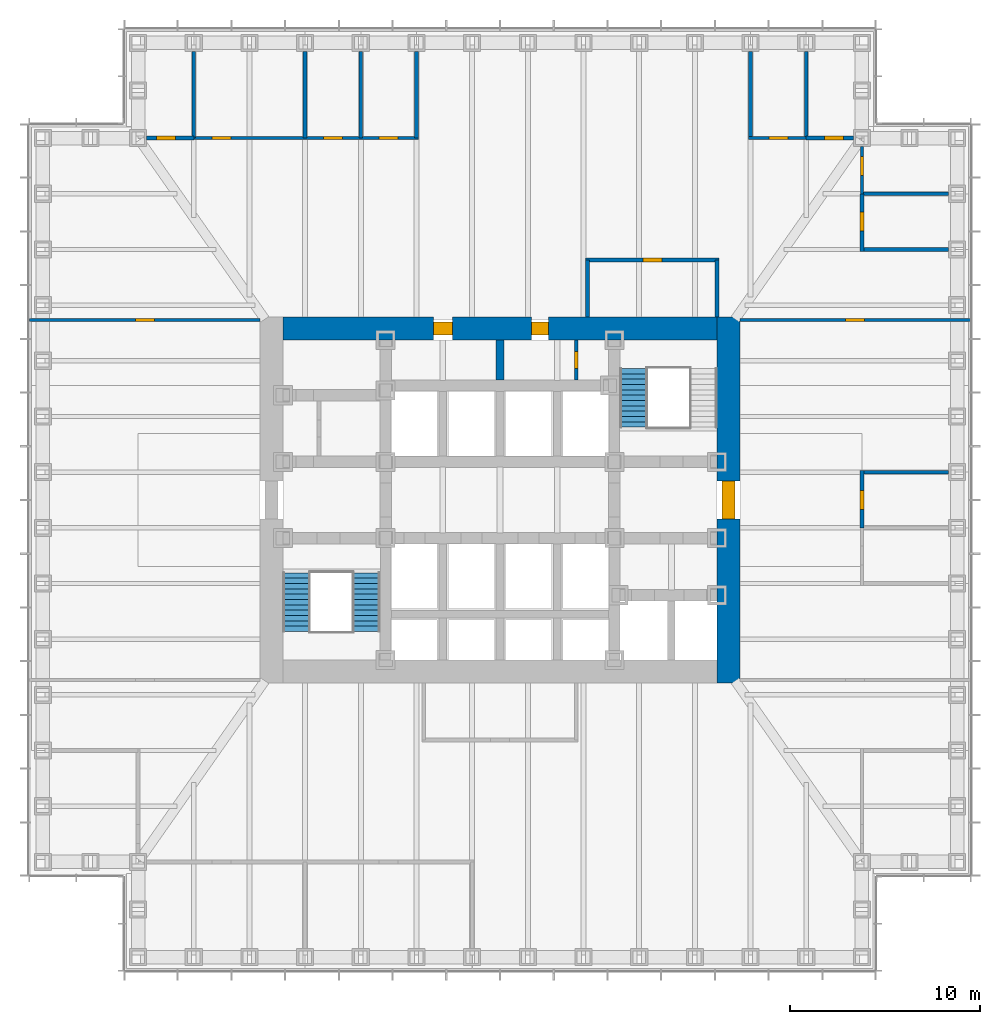
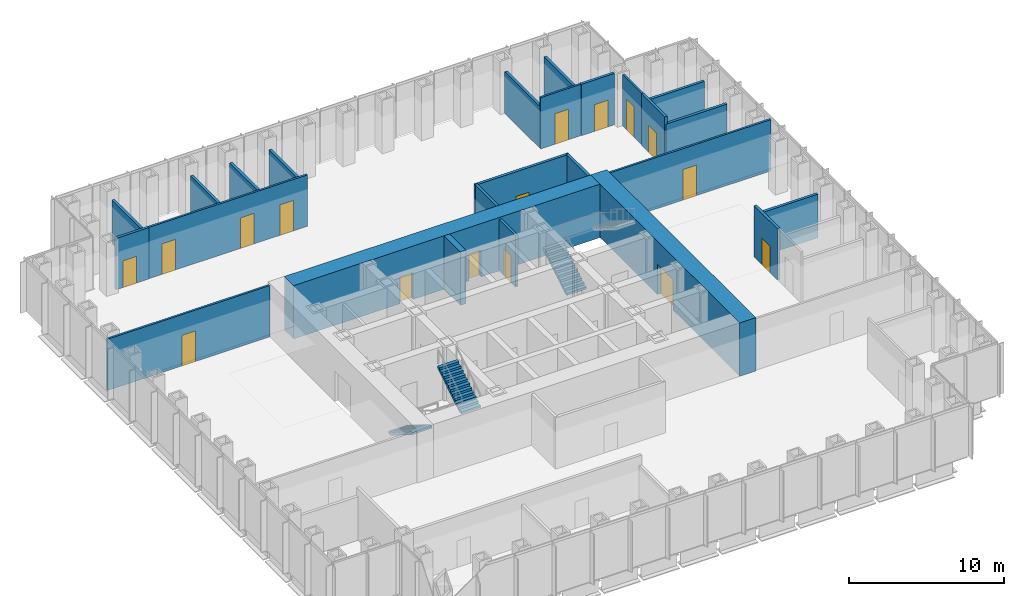
# One storey, part 10 of 17: 25 walls, 16 doors, 3 stair flights, 16 openings, 2 elements without a shape of their own.
"""IFC4 building model written with IfcOpenShell, lengths in metres."""

from ifc_helpers import new_model, si_unit, direction, frame, frame_2d, origin, place, context, subcontext, project, spatial, polyline, rectangle, outline, extrude, material, layer, layer_set, type_object, element, fill, aggregate, save


model = new_model("IFC4")

# Units and contexts
model_context = context("Model", 3, precision=1e-05, world=origin(), true_north=direction((0.0, 1.0)))
body_context = subcontext(model_context, "Body", "Model", "MODEL_VIEW")
ifc_project = project(units=[si_unit("LENGTHUNIT", "METRE"), si_unit("AREAUNIT", "SQUARE_METRE"), si_unit("VOLUMEUNIT", "CUBIC_METRE"), si_unit("PLANEANGLEUNIT", "RADIAN"), si_unit("MASSUNIT", "GRAM", prefix="KILO")], contexts=[model_context])

# Site, building, storey
site_placement = place(None, origin())
site = spatial("IfcSite", under=ifc_project, at=site_placement, CompositionType="ELEMENT")
building_placement = place(site_placement, origin())
building = spatial("IfcBuilding", under=site, at=building_placement, Name="Daluyong Arena Tower", CompositionType="ELEMENT")
storey_placement = place(building_placement, frame((0.0, 0.0, 60.10009765625)))
storey = spatial("IfcBuildingStorey", under=building, at=storey_placement, Name="L12", CompositionType="ELEMENT", Elevation=60.10009765625)

# Wall, opening, door
ifc_material_1 = material(Name="Concrete fc' 60 MPa", Category="concrete")
ifc_layer_1 = layer(ifc_material_1, 1.199951171875)
ifc_layer_set_1 = layer_set([ifc_layer_1], Name="Concrete fc' 60 MPa")
wall_type_1 = type_object("IfcWallType", Name="Core wall 1200", PredefinedType="SHEAR", material=ifc_layer_set_1)
wall_1_placement = place(storey_placement, frame((68.0, 70.39990234375, 0.0), z_axis=(0.0, 0.0, 1.0), x_axis=(0.0, 1.0, 0.0)))
wall_1 = element("IfcWall", 1, at=wall_1_placement, inside=storey, type_object=wall_type_1, Name="core wall at L12", PredefinedType="SHEAR", context=body_context, shape_type="SweptSolid", body=[
    extrude(rectangle(XDim=19.2001953125, YDim=1.199951171875, at=frame_2d((9.60009765625, 0.0))), origin(), (0.0, 0.0, 1.0), 4.199951171875),
])
opening_1_placement = place(wall_1_placement, frame((8.60009765625, 0.0, 0.0)))
opening_1 = element("IfcOpeningElement", 2, at=opening_1_placement, cuts=wall_1, Name="Opening 12010", PredefinedType="OPENING", context=body_context, shape_type="SweptSolid", body=[
    extrude(rectangle(XDim=2.0, YDim=2.39990234375, at=frame_2d((1.0, 1.199951171875))), frame((0.0, 0.60986328125, 0.0), z_axis=(0.0, -1.0, 0.0), x_axis=(1.0, 0.0, 0.0)), (0.0, 0.0, 1.0), 1.219970703125),
])
ifc_material_2 = material(Name="Steel door, fire rated", Category="steel")
door_type_1 = type_object("IfcDoorType", Name="Core lobby double door 2000", OperationType="DOUBLE_DOOR_SINGLE_SWING", PredefinedType="DOOR", material=ifc_material_2)
door_1_placement = place(opening_1_placement, origin())
door_1 = element("IfcDoor", 3, at=door_1_placement, inside=storey, type_object=door_type_1, Name="core lobby door east 12010", OperationType="DOUBLE_DOOR_SINGLE_SWING", OverallHeight=2.39990234375, OverallWidth=2.0, PredefinedType="DOOR", context=body_context, shape_type="SweptSolid", body=[
    extrude(rectangle(XDim=2.0, YDim=2.39990234375, at=frame_2d((1.0, 1.199951171875))), frame((0.0, 0.35009765625, 0.0), z_axis=(0.0, -1.0, 0.0), x_axis=(1.0, 0.0, 0.0)), (0.0, 0.0, 1.0), 0.699951171875),
])
fill(opening_1, door_1)

# Wall, openings, doors
wall_2_placement = place(storey_placement, frame((44.60009765625, 89.0, 0.0), z_axis=(0.0, 0.0, 1.0), x_axis=(1.0, 0.0, 0.0)))
wall_2 = element("IfcWall", 4, at=wall_2_placement, inside=storey, type_object=wall_type_1, Name="core wall at L12", PredefinedType="SHEAR", context=body_context, shape_type="SweptSolid", body=[
    extrude(rectangle(XDim=22.7998046875, YDim=1.199951171875, at=frame_2d((11.39990234375, 0.0))), origin(), (0.0, 0.0, 1.0), 4.199951171875),
])
opening_2_placement = place(wall_2_placement, frame((7.89990234375, 0.0, 0.0)))
opening_2 = element("IfcOpeningElement", 5, at=opening_2_placement, cuts=wall_2, Name="Opening 12004", PredefinedType="OPENING", context=body_context, shape_type="SweptSolid", body=[
    extrude(rectangle(XDim=1.0, YDim=2.10009765625, at=frame_2d((0.5, 1.050048828125))), frame((0.0, 0.60986328125, 0.0), z_axis=(0.0, -1.0, 0.0), x_axis=(1.0, 0.0, 0.0)), (0.0, 0.0, 1.0), 1.219970703125),
])
opening_3_placement = place(wall_2_placement, frame((13.050048828125, 0.0, 0.0)))
opening_3 = element("IfcOpeningElement", 6, at=opening_3_placement, cuts=wall_2, Name="Opening 12005", PredefinedType="OPENING", context=body_context, shape_type="SweptSolid", body=[
    extrude(rectangle(XDim=0.89990234375, YDim=2.10009765625, at=frame_2d((0.449951171875, 1.050048828125))), frame((0.0, 0.60986328125, 0.0), z_axis=(0.0, -1.0, 0.0), x_axis=(1.0, 0.0, 0.0)), (0.0, 0.0, 1.0), 1.219970703125),
])
ifc_material_3 = material(Name="Timber door", Category="wood")
door_type_2 = type_object("IfcDoorType", Name="Accessible toilet door 1000", OperationType="SINGLE_SWING_LEFT", PredefinedType="DOOR", material=ifc_material_3)
door_2_placement = place(opening_2_placement, origin())
door_2 = element("IfcDoor", 7, at=door_2_placement, inside=storey, type_object=door_type_2, Name="accessible toilet door 12004", OperationType="SINGLE_SWING_LEFT", OverallHeight=2.10009765625, OverallWidth=1.0, PredefinedType="DOOR", context=body_context, shape_type="SweptSolid", body=[
    extrude(rectangle(XDim=1.0, YDim=2.10009765625, at=frame_2d((0.5, 1.050048828125))), frame((0.0, 0.35009765625, 0.0), z_axis=(0.0, -1.0, 0.0), x_axis=(1.0, 0.0, 0.0)), (0.0, 0.0, 1.0), 0.699951171875),
])
fill(opening_2, door_2)
ifc_material_4 = material(Name="Steel door, fire rated", Category="steel")
door_type_3 = type_object("IfcDoorType", Name="Core store door 900", OperationType="SINGLE_SWING_LEFT", PredefinedType="DOOR", material=ifc_material_4)
door_3_placement = place(opening_3_placement, origin())
door_3 = element("IfcDoor", 8, at=door_3_placement, inside=storey, type_object=door_type_3, Name="tenant store door 12005", OperationType="SINGLE_SWING_LEFT", OverallHeight=2.10009765625, OverallWidth=0.89990234375, PredefinedType="DOOR", context=body_context, shape_type="SweptSolid", body=[
    extrude(rectangle(XDim=0.89990234375, YDim=2.10009765625, at=frame_2d((0.449951171875, 1.050048828125))), frame((0.0, 0.35009765625, 0.0), z_axis=(0.0, -1.0, 0.0), x_axis=(1.0, 0.0, 0.0)), (0.0, 0.0, 1.0), 0.699951171875),
])
fill(opening_3, door_3)

# Wall, opening, door
ifc_material_5 = material(Name="Concrete block partition, fire rated", Category="concrete")
ifc_layer_2 = layer(ifc_material_5, 0.199951171875)
ifc_layer_set_2 = layer_set([ifc_layer_2], Name="Concrete block partition, fire rated")
wall_type_2 = type_object("IfcWallType", Name="Fire-rated partition 200", PredefinedType="PARTITIONING", material=ifc_layer_set_2)
wall_3_placement = place(storey_placement, frame((60.0, 86.300048828125, 0.0), z_axis=(0.0, 0.0, 1.0), x_axis=(0.0, 1.0, 0.0)))
wall_3 = element("IfcWall", 9, at=wall_3_placement, inside=storey, type_object=wall_type_2, Name="electrical riser enclosure at L12", PredefinedType="PARTITIONING", context=body_context, shape_type="SweptSolid", body=[
    extrude(rectangle(XDim=2.099853515625, YDim=0.199951171875, at=frame_2d((1.0498046875, 0.0))), origin(), (0.0, 0.0, 1.0), 4.039794921875),
])
opening_4_placement = place(wall_3_placement, frame((0.60009765625, 0.0, 0.0)))
opening_4 = element("IfcOpeningElement", 10, at=opening_4_placement, cuts=wall_3, Name="Opening 12006", PredefinedType="OPENING", context=body_context, shape_type="SweptSolid", body=[
    extrude(rectangle(XDim=0.89990234375, YDim=2.10009765625, at=frame_2d((0.449951171875, 1.050048828125))), frame((0.0, 0.10986328125, 0.0), z_axis=(0.0, -1.0, 0.0), x_axis=(1.0, 0.0, 0.0)), (0.0, 0.0, 1.0), 0.219970703125),
])
ifc_material_6 = material(Name="Steel door, fire rated", Category="steel")
door_type_4 = type_object("IfcDoorType", Name="Riser door 900", OperationType="SINGLE_SWING_LEFT", PredefinedType="DOOR", material=ifc_material_6)
door_4_placement = place(opening_4_placement, origin())
door_4 = element("IfcDoor", 11, at=door_4_placement, inside=storey, type_object=door_type_4, Name="riser door 12006", OperationType="SINGLE_SWING_LEFT", OverallHeight=2.10009765625, OverallWidth=0.89990234375, PredefinedType="DOOR", context=body_context, shape_type="SweptSolid", body=[
    extrude(rectangle(XDim=0.89990234375, YDim=2.10009765625, at=frame_2d((0.449951171875, 1.050048828125))), frame((0.0, 0.099609375, 0.0), z_axis=(0.0, -1.0, 0.0), x_axis=(1.0, 0.0, 0.0)), (0.0, 0.0, 1.0), 0.199462890625),
])
fill(opening_4, door_4)

ifc_material_7 = material(Name="Glazed aluminium partition", Category="aluminium")
ifc_layer_3 = layer(ifc_material_7, 0.14990234375)
ifc_layer_set_3 = layer_set([ifc_layer_3], Name="Glazed aluminium partition")
wall_type_3 = type_object("IfcWallType", Name="Glazed partition 150", PredefinedType="PARTITIONING", material=ifc_layer_set_3)
wall_4_placement = place(storey_placement, frame((31.31005859375, 89.449951171875, 0.0), z_axis=(0.0, 0.0, 1.0), x_axis=(1.0, 0.0, 0.0)))
wall_4 = element("IfcWall", 12, at=wall_4_placement, inside=storey, type_object=wall_type_3, Name="glazed partition at L12", PredefinedType="PARTITIONING", context=body_context, shape_type="SweptSolid", body=[
    extrude(rectangle(XDim=12.08984375, YDim=0.14990234375, at=frame_2d((6.044921875, 0.0))), origin(), (0.0, 0.0, 1.0), 4.039794921875),
])
opening_5_placement = place(wall_4_placement, frame((5.544921875, 0.0, 0.0)))
opening_5 = element("IfcOpeningElement", 13, at=opening_5_placement, cuts=wall_4, Name="Opening 12037", PredefinedType="OPENING", context=body_context, shape_type="SweptSolid", body=[
    extrude(rectangle(XDim=1.0, YDim=2.39990234375, at=frame_2d((0.5, 1.199951171875))), frame((0.0, 0.0849609375, 0.0), z_axis=(0.0, -1.0, 0.0), x_axis=(1.0, 0.0, 0.0)), (0.0, 0.0, 1.0), 0.169921875),
])
ifc_material_8 = material(Name="Glazed aluminium door", Category="aluminium")
door_type_5 = type_object("IfcDoorType", Name="Meeting room glazed door 1000", OperationType="SINGLE_SWING_RIGHT", PredefinedType="DOOR", material=ifc_material_8)
door_5_placement = place(opening_5_placement, origin())
door_5 = element("IfcDoor", 14, at=door_5_placement, inside=storey, type_object=door_type_5, Name="team area screen door 12037", OperationType="SINGLE_SWING_RIGHT", OverallHeight=2.39990234375, OverallWidth=1.0, PredefinedType="DOOR", context=body_context, shape_type="SweptSolid", body=[
    extrude(rectangle(XDim=1.0, YDim=2.39990234375, at=frame_2d((0.5, 1.199951171875))), frame((0.0, 0.07470703125, 0.0), z_axis=(0.0, -1.0, 0.0), x_axis=(1.0, 0.0, 0.0)), (0.0, 0.0, 1.0), 0.1494140625),
])
fill(opening_5, door_5)

wall_5_placement = place(storey_placement, frame((68.60009765625, 89.449951171875, 0.0), z_axis=(0.0, 0.0, 1.0), x_axis=(1.0, 0.0, 0.0)))
wall_5 = element("IfcWall", 15, at=wall_5_placement, inside=storey, type_object=wall_type_3, Name="glazed partition at L12", PredefinedType="PARTITIONING", context=body_context, shape_type="SweptSolid", body=[
    extrude(rectangle(XDim=12.08984375, YDim=0.14990234375, at=frame_2d((6.044921875, 0.0))), origin(), (0.0, 0.0, 1.0), 4.039794921875),
])
opening_6_placement = place(wall_5_placement, frame((5.544921875, 0.0, 0.0)))
opening_6 = element("IfcOpeningElement", 16, at=opening_6_placement, cuts=wall_5, Name="Opening 12039", PredefinedType="OPENING", context=body_context, shape_type="SweptSolid", body=[
    extrude(rectangle(XDim=1.0, YDim=2.39990234375, at=frame_2d((0.5, 1.199951171875))), frame((0.0, 0.0849609375, 0.0), z_axis=(0.0, -1.0, 0.0), x_axis=(1.0, 0.0, 0.0)), (0.0, 0.0, 1.0), 0.169921875),
])
door_6_placement = place(opening_6_placement, origin())
door_6 = element("IfcDoor", 17, at=door_6_placement, inside=storey, type_object=door_type_5, Name="team area screen door 12039", OperationType="SINGLE_SWING_RIGHT", OverallHeight=2.39990234375, OverallWidth=1.0, PredefinedType="DOOR", context=body_context, shape_type="SweptSolid", body=[
    extrude(rectangle(XDim=1.0, YDim=2.39990234375, at=frame_2d((0.5, 1.199951171875))), frame((0.0, 0.07470703125, 0.0), z_axis=(0.0, -1.0, 0.0), x_axis=(1.0, 0.0, 0.0)), (0.0, 0.0, 1.0), 0.1494140625),
])
fill(opening_6, door_6)

# Wall, openings, doors
wall_6_placement = place(storey_placement, frame((39.923095703125, 99.0, 0.0), z_axis=(0.0, 0.0, 1.0), x_axis=(1.0, 0.0, 0.0)))
wall_6 = element("IfcWall", 18, at=wall_6_placement, inside=storey, type_object=wall_type_3, Name="glazed partition at L12", PredefinedType="PARTITIONING", context=body_context, shape_type="SweptSolid", body=[
    extrude(rectangle(XDim=11.792236328125, YDim=0.14990234375, at=frame_2d((5.89599609375, 0.0))), origin(), (0.0, 0.0, 1.0), 4.039794921875),
])
opening_7_placement = place(wall_6_placement, frame((0.96142578125, 0.0, 0.0)))
opening_7 = element("IfcOpeningElement", 19, at=opening_7_placement, cuts=wall_6, Name="Opening 12028", PredefinedType="OPENING", context=body_context, shape_type="SweptSolid", body=[
    extrude(rectangle(XDim=1.0, YDim=2.39990234375, at=frame_2d((0.5, 1.199951171875))), frame((0.0, 0.0849609375, 0.0), z_axis=(0.0, -1.0, 0.0), x_axis=(1.0, 0.0, 0.0)), (0.0, 0.0, 1.0), 0.169921875),
])
opening_8_placement = place(wall_6_placement, frame((6.8076171875, 0.0, 0.0)))
opening_8 = element("IfcOpeningElement", 20, at=opening_8_placement, cuts=wall_6, Name="Opening 12029", PredefinedType="OPENING", context=body_context, shape_type="SweptSolid", body=[
    extrude(rectangle(XDim=1.0, YDim=2.39990234375, at=frame_2d((0.5, 1.199951171875))), frame((0.0, 0.0849609375, 0.0), z_axis=(0.0, -1.0, 0.0), x_axis=(1.0, 0.0, 0.0)), (0.0, 0.0, 1.0), 0.169921875),
])
opening_9_placement = place(wall_6_placement, frame((9.730712890625, 0.0, 0.0)))
opening_9 = element("IfcOpeningElement", 21, at=opening_9_placement, cuts=wall_6, Name="Opening 12030", PredefinedType="OPENING", context=body_context, shape_type="SweptSolid", body=[
    extrude(rectangle(XDim=1.0, YDim=2.39990234375, at=frame_2d((0.5, 1.199951171875))), frame((0.0, 0.0849609375, 0.0), z_axis=(0.0, -1.0, 0.0), x_axis=(1.0, 0.0, 0.0)), (0.0, 0.0, 1.0), 0.169921875),
])
door_7_placement = place(opening_7_placement, origin())
door_7 = element("IfcDoor", 22, at=door_7_placement, inside=storey, type_object=door_type_5, Name="meeting room door 12028", OperationType="SINGLE_SWING_RIGHT", OverallHeight=2.39990234375, OverallWidth=1.0, PredefinedType="DOOR", context=body_context, shape_type="SweptSolid", body=[
    extrude(rectangle(XDim=1.0, YDim=2.39990234375, at=frame_2d((0.5, 1.199951171875))), frame((0.0, 0.07470703125, 0.0), z_axis=(0.0, -1.0, 0.0), x_axis=(1.0, 0.0, 0.0)), (0.0, 0.0, 1.0), 0.1494140625),
])
fill(opening_7, door_7)
door_8_placement = place(opening_8_placement, origin())
door_8 = element("IfcDoor", 23, at=door_8_placement, inside=storey, type_object=door_type_5, Name="focus room door 12029", OperationType="SINGLE_SWING_RIGHT", OverallHeight=2.39990234375, OverallWidth=1.0, PredefinedType="DOOR", context=body_context, shape_type="SweptSolid", body=[
    extrude(rectangle(XDim=1.0, YDim=2.39990234375, at=frame_2d((0.5, 1.199951171875))), frame((0.0, 0.07470703125, 0.0), z_axis=(0.0, -1.0, 0.0), x_axis=(1.0, 0.0, 0.0)), (0.0, 0.0, 1.0), 0.1494140625),
])
fill(opening_8, door_8)
door_9_placement = place(opening_9_placement, origin())
door_9 = element("IfcDoor", 24, at=door_9_placement, inside=storey, type_object=door_type_5, Name="focus room door 12030", OperationType="SINGLE_SWING_RIGHT", OverallHeight=2.39990234375, OverallWidth=1.0, PredefinedType="DOOR", context=body_context, shape_type="SweptSolid", body=[
    extrude(rectangle(XDim=1.0, YDim=2.39990234375, at=frame_2d((0.5, 1.199951171875))), frame((0.0, 0.07470703125, 0.0), z_axis=(0.0, -1.0, 0.0), x_axis=(1.0, 0.0, 0.0)), (0.0, 0.0, 1.0), 0.1494140625),
])
fill(opening_9, door_9)

# Wall, opening, door
wall_7_placement = place(storey_placement, frame((69.053955078125, 99.0, 0.0), z_axis=(0.0, 0.0, 1.0), x_axis=(1.0, 0.0, 0.0)))
wall_7 = element("IfcWall", 25, at=wall_7_placement, inside=storey, type_object=wall_type_3, Name="glazed partition at L12", PredefinedType="PARTITIONING", context=body_context, shape_type="SweptSolid", body=[
    extrude(rectangle(XDim=3.02294921875, YDim=0.14990234375, at=frame_2d((1.511474609375, 0.0))), origin(), (0.0, 0.0, 1.0), 4.039794921875),
])
opening_10_placement = place(wall_7_placement, frame((1.0615234375, 0.0, 0.0)))
opening_10 = element("IfcOpeningElement", 26, at=opening_10_placement, cuts=wall_7, Name="Opening 12031", PredefinedType="OPENING", context=body_context, shape_type="SweptSolid", body=[
    extrude(rectangle(XDim=1.0, YDim=2.39990234375, at=frame_2d((0.5, 1.199951171875))), frame((0.0, 0.0849609375, 0.0), z_axis=(0.0, -1.0, 0.0), x_axis=(1.0, 0.0, 0.0)), (0.0, 0.0, 1.0), 0.169921875),
])
door_10_placement = place(opening_10_placement, origin())
door_10 = element("IfcDoor", 27, at=door_10_placement, inside=storey, type_object=door_type_5, Name="focus room door 12031", OperationType="SINGLE_SWING_RIGHT", OverallHeight=2.39990234375, OverallWidth=1.0, PredefinedType="DOOR", context=body_context, shape_type="SweptSolid", body=[
    extrude(rectangle(XDim=1.0, YDim=2.39990234375, at=frame_2d((0.5, 1.199951171875))), frame((0.0, 0.07470703125, 0.0), z_axis=(0.0, -1.0, 0.0), x_axis=(1.0, 0.0, 0.0)), (0.0, 0.0, 1.0), 0.1494140625),
])
fill(opening_10, door_10)

wall_8_placement = place(storey_placement, frame((75.0, 96.076904296875, 0.0), z_axis=(0.0, 0.0, 1.0), x_axis=(0.0, 1.0, 0.0)))
wall_8 = element("IfcWall", 28, at=wall_8_placement, inside=storey, type_object=wall_type_3, Name="glazed partition at L12", PredefinedType="PARTITIONING", context=body_context, shape_type="SweptSolid", body=[
    extrude(rectangle(XDim=2.47314453125, YDim=0.14990234375, at=frame_2d((1.236572265625, 0.0))), origin(), (0.0, 0.0, 1.0), 4.039794921875),
])
opening_11_placement = place(wall_8_placement, frame((0.96142578125, 0.0, 0.0)))
opening_11 = element("IfcOpeningElement", 29, at=opening_11_placement, cuts=wall_8, Name="Opening 12026", PredefinedType="OPENING", context=body_context, shape_type="SweptSolid", body=[
    extrude(rectangle(XDim=1.0, YDim=2.39990234375, at=frame_2d((0.5, 1.199951171875))), frame((0.0, 0.0849609375, 0.0), z_axis=(0.0, -1.0, 0.0), x_axis=(1.0, 0.0, 0.0)), (0.0, 0.0, 1.0), 0.169921875),
])
door_11_placement = place(opening_11_placement, origin())
door_11 = element("IfcDoor", 30, at=door_11_placement, inside=storey, type_object=door_type_5, Name="meeting room door 12026", OperationType="SINGLE_SWING_RIGHT", OverallHeight=2.39990234375, OverallWidth=1.0, PredefinedType="DOOR", context=body_context, shape_type="SweptSolid", body=[
    extrude(rectangle(XDim=1.0, YDim=2.39990234375, at=frame_2d((0.5, 1.199951171875))), frame((0.0, 0.07470703125, 0.0), z_axis=(0.0, -1.0, 0.0), x_axis=(1.0, 0.0, 0.0)), (0.0, 0.0, 1.0), 0.1494140625),
])
fill(opening_11, door_11)

# Walls
ifc_material_9 = material(Name="Concrete fc' 45 MPa", Category="concrete")
ifc_layer_4 = layer(ifc_material_9, 0.39990234375)
ifc_layer_set_4 = layer_set([ifc_layer_4], Name="Concrete fc' 45 MPa")
wall_type_4 = type_object("IfcWallType", Name="Lift shaft wall 400", PredefinedType="SHEAR", material=ifc_layer_set_4)
wall_9_placement = place(storey_placement, frame((56.0, 86.300048828125, 0.0), z_axis=(0.0, 0.0, 1.0), x_axis=(0.0, 1.0, 0.0)))
element("IfcWall", 31, at=wall_9_placement, inside=storey, type_object=wall_type_4, Name="lift shaft wall at L12", PredefinedType="SHEAR", context=body_context, shape_type="SweptSolid", body=[
    extrude(rectangle(XDim=2.099853515625, YDim=0.39990234375, at=frame_2d((1.0498046875, 0.0))), origin(), (0.0, 0.0, 1.0), 4.199951171875),
])
ifc_material_10 = material(Name="Concrete block partition", Category="concrete")
ifc_layer_5 = layer(ifc_material_10, 0.199951171875)
ifc_layer_set_5 = layer_set([ifc_layer_5], Name="Concrete block partition")
wall_type_5 = type_object("IfcWallType", Name="Partition 200", PredefinedType="PARTITIONING", material=ifc_layer_set_5)
for number, where, z_axis, x_axis, name in (
    (32, (75.0, 81.46142578125, 0.0), (0.0, 0.0, 1.0), (1.0, 0.0, 0.0), "partition at L12"),
    (33, (75.0, 93.15380859375, 0.0), (0.0, 0.0, 1.0), (1.0, 0.0, 0.0), "partition at L12"),
    (34, (75.0, 96.076904296875, 0.0), (0.0, 0.0, 1.0), (1.0, 0.0, 0.0), "partition at L12"),
    (35, (39.923095703125, 99.0, 0.0), (0.0, 0.0, 1.0), (0.0, 1.0, 0.0), "partition at L12"),
):
    element("IfcWall", number, at=place(storey_placement, frame(where, z_axis=z_axis, x_axis=x_axis)), inside=storey, type_object=wall_type_5, Name=name, PredefinedType="PARTITIONING", context=body_context, shape_type="SweptSolid", body=[
        extrude(rectangle(XDim=4.550048828125, YDim=0.199951171875, at=frame_2d((2.27490234375, 0.0))), origin(), (0.0, 0.0, 1.0), 3.427734375),
    ])
for number, where, z_axis, x_axis, name in (
    (36, (45.769287109375, 99.0, 0.0), (0.0, 0.0, 1.0), (0.0, 1.0, 0.0), "partition at L12"),
    (37, (48.6923828125, 99.0, 0.0), (0.0, 0.0, 1.0), (0.0, 1.0, 0.0), "partition at L12"),
    (38, (51.615478515625, 99.0, 0.0), (0.0, 0.0, 1.0), (0.0, 1.0, 0.0), "partition at L12"),
    (39, (69.15380859375, 99.0, 0.0), (0.0, 0.0, 1.0), (0.0, 1.0, 0.0), "partition at L12"),
):
    element("IfcWall", number, at=place(storey_placement, frame(where, z_axis=z_axis, x_axis=x_axis)), inside=storey, type_object=wall_type_5, Name=name, PredefinedType="PARTITIONING", context=body_context, shape_type="SweptSolid", body=[
        extrude(rectangle(XDim=4.550048828125, YDim=0.199951171875, at=frame_2d((2.27490234375, 0.0))), origin(), (0.0, 0.0, 1.0), 3.27783203125),
    ])
wall_10_placement = place(storey_placement, frame((72.076904296875, 99.0, 0.0), z_axis=(0.0, 0.0, 1.0), x_axis=(0.0, 1.0, 0.0)))
element("IfcWall", 40, at=wall_10_placement, inside=storey, type_object=wall_type_5, Name="partition at L12", PredefinedType="PARTITIONING", context=body_context, shape_type="SweptSolid", body=[
    extrude(rectangle(XDim=4.550048828125, YDim=0.199951171875, at=frame_2d((2.27490234375, 0.0))), origin(), (0.0, 0.0, 1.0), 3.427734375),
])
for number, where, z_axis, x_axis, name in (
    (41, (60.60009765625, 89.60009765625, 0.0), (0.0, 0.0, 1.0), (0.0, 1.0, 0.0), "partition at L12"),
    (42, (67.39990234375, 89.60009765625, 0.0), (0.0, 0.0, 1.0), (0.0, 1.0, 0.0), "partition at L12"),
):
    element("IfcWall", number, at=place(storey_placement, frame(where, z_axis=z_axis, x_axis=x_axis)), inside=storey, type_object=wall_type_5, Name=name, PredefinedType="PARTITIONING", context=body_context, shape_type="SweptSolid", body=[
        extrude(rectangle(XDim=3.0, YDim=0.199951171875, at=frame_2d((1.5, 0.0))), origin(), (0.0, 0.0, 1.0), 4.039794921875),
    ])

# Wall, opening, door
wall_11_placement = place(storey_placement, frame((60.5, 92.60009765625, 0.0), z_axis=(0.0, 0.0, 1.0), x_axis=(1.0, 0.0, 0.0)))
wall_11 = element("IfcWall", 43, at=wall_11_placement, inside=storey, type_object=wall_type_5, Name="partition at L12", PredefinedType="PARTITIONING", context=body_context, shape_type="SweptSolid", body=[
    extrude(rectangle(XDim=7.0, YDim=0.199951171875, at=frame_2d((3.5, 0.0))), origin(), (0.0, 0.0, 1.0), 4.039794921875),
])
opening_12_placement = place(wall_11_placement, frame((3.0, 0.0, 0.0)))
opening_12 = element("IfcOpeningElement", 44, at=opening_12_placement, cuts=wall_11, Name="Opening 12034", PredefinedType="OPENING", context=body_context, shape_type="SweptSolid", body=[
    extrude(rectangle(XDim=1.0, YDim=2.10009765625, at=frame_2d((0.5, 1.050048828125))), frame((0.0, 0.10986328125, 0.0), z_axis=(0.0, -1.0, 0.0), x_axis=(1.0, 0.0, 0.0)), (0.0, 0.0, 1.0), 0.219970703125),
])
ifc_material_11 = material(Name="Timber door", Category="wood")
door_type_6 = type_object("IfcDoorType", Name="Room door 1000", OperationType="SINGLE_SWING_LEFT", PredefinedType="DOOR", material=ifc_material_11)
door_12_placement = place(opening_12_placement, origin())
door_12 = element("IfcDoor", 45, at=door_12_placement, inside=storey, type_object=door_type_6, Name="locker room door 12034", OperationType="SINGLE_SWING_LEFT", OverallHeight=2.10009765625, OverallWidth=1.0, PredefinedType="DOOR", context=body_context, shape_type="SweptSolid", body=[
    extrude(rectangle(XDim=1.0, YDim=2.10009765625, at=frame_2d((0.5, 1.050048828125))), frame((0.0, 0.099609375, 0.0), z_axis=(0.0, -1.0, 0.0), x_axis=(1.0, 0.0, 0.0)), (0.0, 0.0, 1.0), 0.199462890625),
])
fill(opening_12, door_12)

wall_12_placement = place(storey_placement, frame((37.449951171875, 99.0, 0.0), z_axis=(0.0, 0.0, 1.0), x_axis=(1.0, 0.0, 0.0)))
wall_12 = element("IfcWall", 46, at=wall_12_placement, inside=storey, type_object=wall_type_5, Name="partition at L12", PredefinedType="PARTITIONING", context=body_context, shape_type="SweptSolid", body=[
    extrude(rectangle(XDim=2.47314453125, YDim=0.199951171875, at=frame_2d((1.236572265625, 0.0))), origin(), (0.0, 0.0, 1.0), 4.039794921875),
])
opening_13_placement = place(wall_12_placement, frame((0.511474609375, 0.0, 0.0)))
opening_13 = element("IfcOpeningElement", 47, at=opening_13_placement, cuts=wall_12, Name="Opening 12027", PredefinedType="OPENING", context=body_context, shape_type="SweptSolid", body=[
    extrude(rectangle(XDim=1.0, YDim=2.10009765625, at=frame_2d((0.5, 1.050048828125))), frame((0.0, 0.10986328125, 0.0), z_axis=(0.0, -1.0, 0.0), x_axis=(1.0, 0.0, 0.0)), (0.0, 0.0, 1.0), 0.219970703125),
])
door_13_placement = place(opening_13_placement, origin())
door_13 = element("IfcDoor", 48, at=door_13_placement, inside=storey, type_object=door_type_6, Name="wellness room door 12027", OperationType="SINGLE_SWING_LEFT", OverallHeight=2.10009765625, OverallWidth=1.0, PredefinedType="DOOR", context=body_context, shape_type="SweptSolid", body=[
    extrude(rectangle(XDim=1.0, YDim=2.10009765625, at=frame_2d((0.5, 1.050048828125))), frame((0.0, 0.099609375, 0.0), z_axis=(0.0, -1.0, 0.0), x_axis=(1.0, 0.0, 0.0)), (0.0, 0.0, 1.0), 0.199462890625),
])
fill(opening_13, door_13)

wall_13_placement = place(storey_placement, frame((72.076904296875, 99.0, 0.0), z_axis=(0.0, 0.0, 1.0), x_axis=(1.0, 0.0, 0.0)))
wall_13 = element("IfcWall", 49, at=wall_13_placement, inside=storey, type_object=wall_type_5, Name="partition at L12", PredefinedType="PARTITIONING", context=body_context, shape_type="SweptSolid", body=[
    extrude(rectangle(XDim=2.47314453125, YDim=0.199951171875, at=frame_2d((1.236572265625, 0.0))), origin(), (0.0, 0.0, 1.0), 4.039794921875),
])
opening_14_placement = place(wall_13_placement, frame((0.96142578125, 0.0, 0.0)))
opening_14 = element("IfcOpeningElement", 50, at=opening_14_placement, cuts=wall_13, Name="Opening 12032", PredefinedType="OPENING", context=body_context, shape_type="SweptSolid", body=[
    extrude(rectangle(XDim=1.0, YDim=2.10009765625, at=frame_2d((0.5, 1.050048828125))), frame((0.0, 0.10986328125, 0.0), z_axis=(0.0, -1.0, 0.0), x_axis=(1.0, 0.0, 0.0)), (0.0, 0.0, 1.0), 0.219970703125),
])
door_14_placement = place(opening_14_placement, origin())
door_14 = element("IfcDoor", 51, at=door_14_placement, inside=storey, type_object=door_type_6, Name="quiet room door 12032", OperationType="SINGLE_SWING_LEFT", OverallHeight=2.10009765625, OverallWidth=1.0, PredefinedType="DOOR", context=body_context, shape_type="SweptSolid", body=[
    extrude(rectangle(XDim=1.0, YDim=2.10009765625, at=frame_2d((0.5, 1.050048828125))), frame((0.0, 0.099609375, 0.0), z_axis=(0.0, -1.0, 0.0), x_axis=(1.0, 0.0, 0.0)), (0.0, 0.0, 1.0), 0.199462890625),
])
fill(opening_14, door_14)

wall_14_placement = place(storey_placement, frame((75.0, 78.53857421875, 0.0), z_axis=(0.0, 0.0, 1.0), x_axis=(0.0, 1.0, 0.0)))
wall_14 = element("IfcWall", 52, at=wall_14_placement, inside=storey, type_object=wall_type_5, Name="partition at L12", PredefinedType="PARTITIONING", context=body_context, shape_type="SweptSolid", body=[
    extrude(rectangle(XDim=3.02294921875, YDim=0.199951171875, at=frame_2d((1.511474609375, 0.0))), origin(), (0.0, 0.0, 1.0), 4.039794921875),
])
opening_15_placement = place(wall_14_placement, frame((0.96142578125, 0.0, 0.0)))
opening_15 = element("IfcOpeningElement", 53, at=opening_15_placement, cuts=wall_14, Name="Opening 12024", PredefinedType="OPENING", context=body_context, shape_type="SweptSolid", body=[
    extrude(rectangle(XDim=1.0, YDim=2.10009765625, at=frame_2d((0.5, 1.050048828125))), frame((0.0, 0.10986328125, 0.0), z_axis=(0.0, -1.0, 0.0), x_axis=(1.0, 0.0, 0.0)), (0.0, 0.0, 1.0), 0.219970703125),
])
door_15_placement = place(opening_15_placement, origin())
door_15 = element("IfcDoor", 54, at=door_15_placement, inside=storey, type_object=door_type_6, Name="wellness room door 12024", OperationType="SINGLE_SWING_LEFT", OverallHeight=2.10009765625, OverallWidth=1.0, PredefinedType="DOOR", context=body_context, shape_type="SweptSolid", body=[
    extrude(rectangle(XDim=1.0, YDim=2.10009765625, at=frame_2d((0.5, 1.050048828125))), frame((0.0, 0.099609375, 0.0), z_axis=(0.0, -1.0, 0.0), x_axis=(1.0, 0.0, 0.0)), (0.0, 0.0, 1.0), 0.199462890625),
])
fill(opening_15, door_15)

wall_15_placement = place(storey_placement, frame((75.0, 93.053955078125, 0.0), z_axis=(0.0, 0.0, 1.0), x_axis=(0.0, 1.0, 0.0)))
wall_15 = element("IfcWall", 55, at=wall_15_placement, inside=storey, type_object=wall_type_5, Name="partition at L12", PredefinedType="PARTITIONING", context=body_context, shape_type="SweptSolid", body=[
    extrude(rectangle(XDim=3.02294921875, YDim=0.199951171875, at=frame_2d((1.511474609375, 0.0))), origin(), (0.0, 0.0, 1.0), 4.039794921875),
])
opening_16_placement = place(wall_15_placement, frame((1.0615234375, 0.0, 0.0)))
opening_16 = element("IfcOpeningElement", 56, at=opening_16_placement, cuts=wall_15, Name="Opening 12025", PredefinedType="OPENING", context=body_context, shape_type="SweptSolid", body=[
    extrude(rectangle(XDim=1.0, YDim=2.10009765625, at=frame_2d((0.5, 1.050048828125))), frame((0.0, 0.10986328125, 0.0), z_axis=(0.0, -1.0, 0.0), x_axis=(1.0, 0.0, 0.0)), (0.0, 0.0, 1.0), 0.219970703125),
])
door_16_placement = place(opening_16_placement, origin())
door_16 = element("IfcDoor", 57, at=door_16_placement, inside=storey, type_object=door_type_6, Name="quiet room door 12025", OperationType="SINGLE_SWING_LEFT", OverallHeight=2.10009765625, OverallWidth=1.0, PredefinedType="DOOR", context=body_context, shape_type="SweptSolid", body=[
    extrude(rectangle(XDim=1.0, YDim=2.10009765625, at=frame_2d((0.5, 1.050048828125))), frame((0.0, 0.099609375, 0.0), z_axis=(0.0, -1.0, 0.0), x_axis=(1.0, 0.0, 0.0)), (0.0, 0.0, 1.0), 0.199462890625),
])
fill(opening_16, door_16)

# Stair, stair flights
ifc_material_12 = material(Name="Concrete fc' 35 MPa", Category="concrete")
stair_type = type_object("IfcStairType", Name="Core exit stair", PredefinedType="HALF_TURN_STAIR", material=ifc_material_12)
stair_1_placement = place(storey_placement, origin())
stair_1 = element("IfcStair", 58, at=stair_1_placement, inside=storey, type_object=stair_type, Name="exit stair A L12", PredefinedType="HALF_TURN_STAIR")
ifc_material_13 = material(Name="Concrete fc' 35 MPa", Category="concrete")
stair_flight_type = type_object("IfcStairFlightType", Name="Core stair flight", PredefinedType="STRAIGHT", material=ifc_material_13)
stair_flight_1_placement = place(storey_placement, frame((45.324951171875, 76.175048828125, 0.0), z_axis=(0.0, 0.0, 1.0), x_axis=(0.0, -1.0, 0.0)))
stair_flight_1 = element("IfcStairFlight", 59, at=stair_flight_1_placement, type_object=stair_flight_type, Name="STA flight 1", NumberOfRisers=12, NumberOfTreads=11, PredefinedType="STRAIGHT", RiserHeight=0.175, TreadLength=0.28, context=body_context, shape_type="SweptSolid", body=[
    extrude(outline(polyline([(0.0, 0.0), (0.0, 0.175048828125), (0.280029296875, 0.175048828125), (0.280029296875, 0.35009765625), (0.56005859375, 0.35009765625), (0.56005859375, 0.52490234375), (0.840087890625, 0.52490234375), (0.840087890625, 0.699951171875), (1.1201171875, 0.699951171875), (1.1201171875, 0.875), (1.39990234375, 0.875), (1.39990234375, 1.050048828125), (1.679931640625, 1.050048828125), (1.679931640625, 1.22509765625), (1.9599609375, 1.22509765625), (1.9599609375, 1.39990234375), (2.239990234375, 1.39990234375), (2.239990234375, 1.574951171875), (2.52001953125, 1.574951171875), (2.52001953125, 1.75), (2.800048828125, 1.75), (2.800048828125, 1.925048828125), (3.080078125, 1.925048828125), (3.080078125, 2.10009765625), (3.080078125, 1.748291015625), (0.28271484375, 0.0), (0.0, 0.0)])), frame((0.0, 0.72509765625, 0.0), z_axis=(0.0, -1.0, 0.0), x_axis=(1.0, 0.0, 0.0)), (0.0, 0.0, 1.0), 1.449951171875),
])
stair_flight_2_placement = place(storey_placement, frame((48.97509765625, 73.094970703125, 2.099853515625), z_axis=(0.0, 0.0, 1.0), x_axis=(0.0, 1.0, 0.0)))
stair_flight_2 = element("IfcStairFlight", 60, at=stair_flight_2_placement, type_object=stair_flight_type, Name="STA flight 2", NumberOfRisers=12, NumberOfTreads=11, PredefinedType="STRAIGHT", RiserHeight=0.175, TreadLength=0.28, context=body_context, shape_type="SweptSolid", body=[
    extrude(outline(polyline([(0.0, 0.0), (0.0, 0.175048828125), (0.280029296875, 0.175048828125), (0.280029296875, 0.35009765625), (0.56005859375, 0.35009765625), (0.56005859375, 0.52490234375), (0.840087890625, 0.52490234375), (0.840087890625, 0.699951171875), (1.1201171875, 0.699951171875), (1.1201171875, 0.875), (1.39990234375, 0.875), (1.39990234375, 1.050048828125), (1.679931640625, 1.050048828125), (1.679931640625, 1.22509765625), (1.9599609375, 1.22509765625), (1.9599609375, 1.39990234375), (2.239990234375, 1.39990234375), (2.239990234375, 1.574951171875), (2.52001953125, 1.574951171875), (2.52001953125, 1.75), (2.800048828125, 1.75), (2.800048828125, 1.925048828125), (3.080078125, 1.925048828125), (3.080078125, 2.10009765625), (3.080078125, 1.748291015625), (0.28271484375, 0.0), (0.0, 0.0)])), frame((0.0, 0.72509765625, 0.0), z_axis=(0.0, -1.0, 0.0), x_axis=(1.0, 0.0, 0.0)), (0.0, 0.0, 1.0), 1.449951171875),
])
aggregate(stair_1, [stair_flight_1, stair_flight_2])

# Stair, stair flight
stair_2_placement = place(storey_placement, origin())
stair_2 = element("IfcStair", 61, at=stair_2_placement, inside=storey, type_object=stair_type, Name="exit stair B L12", PredefinedType="HALF_TURN_STAIR")
stair_flight_3_placement = place(storey_placement, frame((63.02490234375, 83.824951171875, 0.0), z_axis=(0.0, 0.0, 1.0), x_axis=(0.0, 1.0, 0.0)))
stair_flight_3 = element("IfcStairFlight", 62, at=stair_flight_3_placement, type_object=stair_flight_type, Name="STB flight 1", NumberOfRisers=12, NumberOfTreads=11, PredefinedType="STRAIGHT", RiserHeight=0.175, TreadLength=0.28, context=body_context, shape_type="SweptSolid", body=[
    extrude(outline(polyline([(0.0, 0.0), (0.0, 0.175048828125), (0.280029296875, 0.175048828125), (0.280029296875, 0.35009765625), (0.56005859375, 0.35009765625), (0.56005859375, 0.52490234375), (0.840087890625, 0.52490234375), (0.840087890625, 0.699951171875), (1.1201171875, 0.699951171875), (1.1201171875, 0.875), (1.39990234375, 0.875), (1.39990234375, 1.050048828125), (1.679931640625, 1.050048828125), (1.679931640625, 1.22509765625), (1.9599609375, 1.22509765625), (1.9599609375, 1.39990234375), (2.239990234375, 1.39990234375), (2.239990234375, 1.574951171875), (2.52001953125, 1.574951171875), (2.52001953125, 1.75), (2.800048828125, 1.75), (2.800048828125, 1.925048828125), (3.080078125, 1.925048828125), (3.080078125, 2.10009765625), (3.080078125, 1.748291015625), (0.28271484375, 0.0), (0.0, 0.0)])), frame((0.0, 0.72509765625, 0.0), z_axis=(0.0, -1.0, 0.0), x_axis=(1.0, 0.0, 0.0)), (0.0, 0.0, 1.0), 1.449951171875),
])
aggregate(stair_2, [stair_flight_3])

save(model, "model.ifc")
